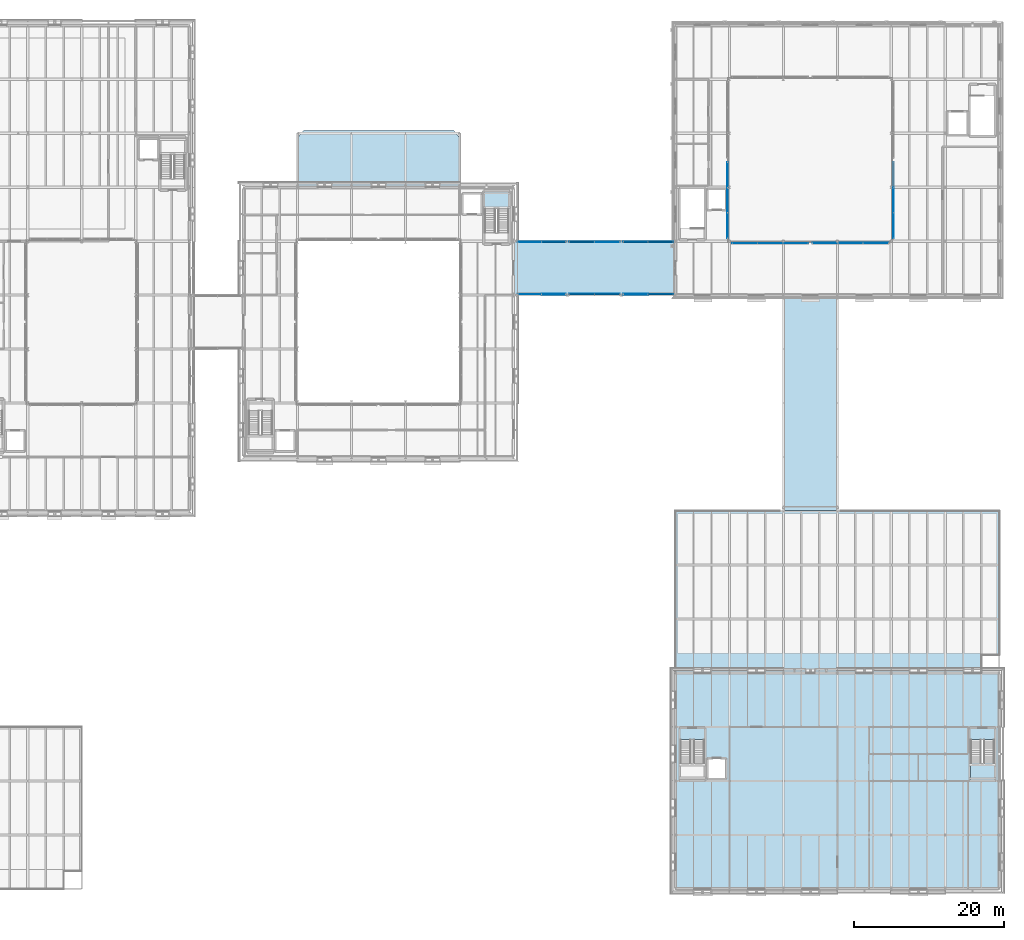
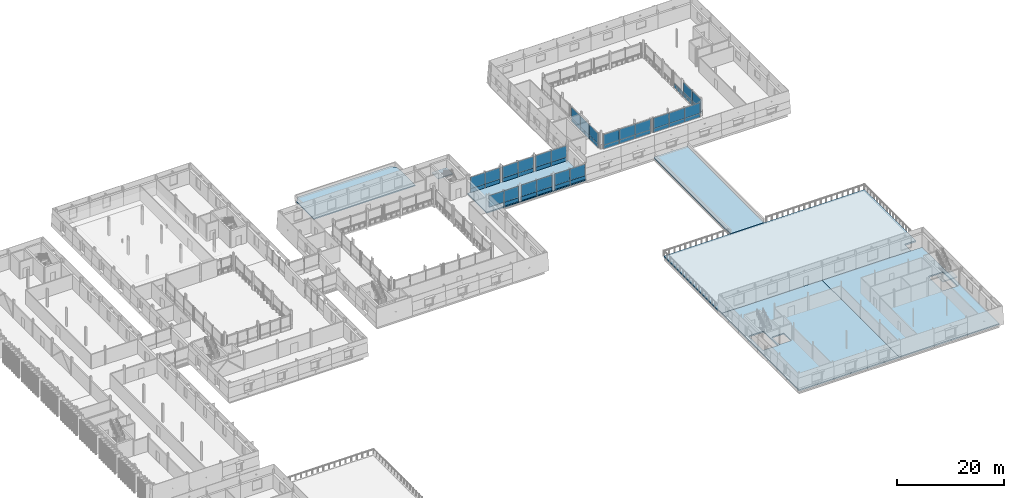
# One storey, part 58 of 115: 46 plates, 8 slabs, 12 elements without a shape of their own.
"""IFC4 building model written with IfcOpenShell, lengths in metres."""

from ifc_helpers import new_model, si_unit, direction, frame, origin, origin_2d, place, context, subcontext, project, spatial, polyline, rectangle, outline, extrude, material, layer, layer_set, type_object, element, aggregate, save


model = new_model("IFC4")

# Units and contexts
model_context = context("Model", 3, precision=1e-05, world=origin(), true_north=direction((0.0, 1.0)))
body_context = subcontext(model_context, "Body", "Model", "MODEL_VIEW")
ifc_project = project(units=[si_unit("LENGTHUNIT", "METRE"), si_unit("AREAUNIT", "SQUARE_METRE"), si_unit("VOLUMEUNIT", "CUBIC_METRE"), si_unit("PLANEANGLEUNIT", "RADIAN"), si_unit("MASSUNIT", "GRAM", prefix="KILO")], contexts=[model_context])

# Site, building, storey
site_placement = place(None, origin())
site = spatial("IfcSite", under=ifc_project, at=site_placement, CompositionType="ELEMENT")
building_placement = place(site_placement, origin())
building = spatial("IfcBuilding", under=site, at=building_placement, Name="Narikvali Park Central Library", CompositionType="ELEMENT")
storey_placement = place(building_placement, frame((0.0, 0.0, 10.199951171875)))
storey = spatial("IfcBuildingStorey", under=building, at=storey_placement, Name="L02", CompositionType="ELEMENT", Elevation=10.199951171875)

# Slabs
ifc_material_1 = material(Name="Concrete C40/50", Category="concrete")
ifc_layer_1 = layer(ifc_material_1, 0.25, Name="Concrete C40/50")
ifc_layer_set_1 = layer_set([ifc_layer_1], Name="Concrete C40/50")
slab_type_1 = type_object("IfcSlabType", Name="Bridge Sliding Deck Slab 250", PredefinedType="FLOOR", material=ifc_layer_set_1)
slab_1_placement = place(storey_placement, frame((0.0, 0.0, -0.25)))
element("IfcSlab", 1, at=slab_1_placement, inside=storey, type_object=slab_type_1, Name="BRG-3 L02 Covered Bridge Deck", PredefinedType="FLOOR", context=body_context, shape_type="SweptSolid", body=[
    extrude(outline(polyline([(100.840087890625, 79.199951171875), (122.360107421875, 79.199951171875), (122.360107421875, 86.39990234375), (100.840087890625, 86.39990234375), (100.840087890625, 79.199951171875)])), origin(), (0.0, 0.0, 1.0), 0.25),
])
ifc_material_2 = material(Name="Concrete C35/45", Category="concrete")
ifc_layer_2 = layer(ifc_material_2, 0.280029296875, Name="Concrete C35/45")
ifc_layer_set_2 = layer_set([ifc_layer_2], Name="Concrete C35/45")
slab_type_2 = type_object("IfcSlabType", Name="Composite Reading Floor Slab 280", PredefinedType="FLOOR", material=ifc_layer_set_2)
slab_2_placement = place(storey_placement, frame((0.0, 0.0, -0.280029296875)))
element("IfcSlab", 2, at=slab_2_placement, inside=storey, type_object=slab_type_2, Name="V6 L02 Structural Slab Panel 1", PredefinedType="FLOOR", context=body_context, shape_type="SweptSolid", body=[
    extrude(outline(polyline([(122.39990234375, 0.0), (144.0, 0.0), (144.0, 28.800048828125), (122.39990234375, 28.800048828125), (122.39990234375, 0.0)]), holes=[polyline([(123.050048828125, 14.550048828125), (126.25, 14.550048828125), (126.25, 19.89990234375), (123.050048828125, 19.89990234375), (123.050048828125, 14.550048828125)]), polyline([(126.64990234375, 14.64990234375), (129.199951171875, 14.64990234375), (129.199951171875, 17.449951171875), (126.64990234375, 17.449951171875), (126.64990234375, 14.64990234375)])]), origin(), (0.0, 0.0, 1.0), 0.280029296875),
])
slab_3_placement = place(storey_placement, frame((0.0, 0.0, -0.280029296875)))
element("IfcSlab", 3, at=slab_3_placement, inside=storey, type_object=slab_type_2, Name="V6 L02 Structural Slab Panel 2", PredefinedType="FLOOR", context=body_context, shape_type="SweptSolid", body=[
    extrude(outline(polyline([(144.0, 0.0), (165.60009765625, 0.0), (165.60009765625, 28.800048828125), (144.0, 28.800048828125), (144.0, 0.0)]), holes=[polyline([(161.75, 14.550048828125), (164.949951171875, 14.550048828125), (164.949951171875, 19.89990234375), (161.75, 19.89990234375), (161.75, 14.550048828125)])]), origin(), (0.0, 0.0, 1.0), 0.280029296875),
])

# Curtain wall, plate
ifc_material_3 = material(Name="Anodised Bronze Aluminium", Category="aluminium")
ifc_layer_3 = layer(ifc_material_3, 0.219970703125, Name="Anodised Bronze Aluminium")
ifc_layer_set_3 = layer_set([ifc_layer_3], Name="Anodised Bronze Aluminium")
curtain_wall_type_1 = type_object("IfcCurtainWallType", Name="Bridge Covered Passage Glazing System", PredefinedType="NOTDEFINED", material=ifc_layer_set_3)
curtain_wall_1_placement = place(storey_placement, origin())
curtain_wall_1 = element("IfcCurtainWall", 4, at=curtain_wall_1_placement, inside=storey, type_object=curtain_wall_type_1, Name="Bridge Covered Passage Glazing System CW-BRG-3-L02-S2", PredefinedType="NOTDEFINED")
ifc_material_4 = material(Name="Anodised Bronze Acoustic Spandrel Cassette")
ifc_layer_4 = layer(ifc_material_4, 0.1650390625, Name="Anodised Bronze Acoustic Spandrel Cassette")
ifc_layer_set_4 = layer_set([ifc_layer_4], Name="Anodised Bronze Acoustic Spandrel Cassette")
plate_type_1 = type_object("IfcPlateType", Name="Curtain Wall Acoustic Plenum Louvre Cassette 165", PredefinedType="CURTAIN_PANEL", material=ifc_layer_set_4)
plate_1_placement = place(storey_placement, frame((113.280029296875, 79.320068359375, 0.03515625), z_axis=(0.0, 0.0, 1.0), x_axis=(1.0, 0.0, 0.0)))
plate_1 = element("IfcPlate", 5, at=plate_1_placement, type_object=plate_type_1, Name="CW-BRG-3-L02-S2 Panel 01-0", PredefinedType="CURTAIN_PANEL", context=body_context, shape_type="SweptSolid", body=[
    extrude(rectangle(XDim=3.35009765625, YDim=0.1650390625, at=origin_2d()), origin(), (0.0, 0.0, 1.0), 0.860107421875),
])

curtain_wall_2_placement = place(storey_placement, origin())
curtain_wall_2 = element("IfcCurtainWall", 6, at=curtain_wall_2_placement, inside=storey, type_object=curtain_wall_type_1, Name="Bridge Covered Passage Glazing System CW-BRG-3-L02-N2", PredefinedType="NOTDEFINED")
plate_2_placement = place(storey_placement, frame((109.919921875, 86.280029296875, 0.03515625), z_axis=(0.0, 0.0, 1.0), x_axis=(1.0, 0.0, 0.0)))
plate_2 = element("IfcPlate", 7, at=plate_2_placement, type_object=plate_type_1, Name="CW-BRG-3-L02-N2 Panel 00-0", PredefinedType="CURTAIN_PANEL", context=body_context, shape_type="SweptSolid", body=[
    extrude(rectangle(XDim=3.35009765625, YDim=0.1650390625, at=origin_2d()), origin(), (0.0, 0.0, 1.0), 0.860107421875),
])

curtain_wall_3_placement = place(storey_placement, origin())
curtain_wall_3 = element("IfcCurtainWall", 8, at=curtain_wall_3_placement, inside=storey, type_object=curtain_wall_type_1, Name="Bridge Covered Passage Glazing System CW-BRG-3-L02-N3", PredefinedType="NOTDEFINED")
plate_3_placement = place(storey_placement, frame((120.43505859375, 86.280029296875, 0.03515625), z_axis=(0.0, 0.0, 1.0), x_axis=(1.0, 0.0, 0.0)))
plate_3 = element("IfcPlate", 9, at=plate_3_placement, type_object=plate_type_1, Name="CW-BRG-3-L02-N3 Panel 01-0", PredefinedType="CURTAIN_PANEL", context=body_context, shape_type="SweptSolid", body=[
    extrude(rectangle(XDim=3.320068359375, YDim=0.1650390625, at=origin_2d()), origin(), (0.0, 0.0, 1.0), 0.860107421875),
])

# Plate
ifc_material_5 = material(Name="Heavy Acoustic Laminated Clerestory Glazing", Category="glass")
ifc_layer_5 = layer(ifc_material_5, 0.06396484375, Name="Heavy Acoustic Laminated Clerestory Glazing")
ifc_layer_set_5 = layer_set([ifc_layer_5], Name="Heavy Acoustic Laminated Clerestory Glazing")
plate_type_2 = type_object("IfcPlateType", Name="Curtain Wall Clerestory Laminated Acoustic Glass 64", PredefinedType="CURTAIN_PANEL", material=ifc_layer_set_5)
plate_4_placement = place(storey_placement, frame((109.919921875, 79.320068359375, 0.90478515625), z_axis=(0.0, 0.0, 1.0), x_axis=(1.0, 0.0, 0.0)))
plate_4 = element("IfcPlate", 10, at=plate_4_placement, type_object=plate_type_2, Name="CW-BRG-3-L02-S2 Panel 00-1", PredefinedType="CURTAIN_PANEL", context=body_context, shape_type="SweptSolid", body=[
    extrude(rectangle(XDim=3.35009765625, YDim=0.06396484375, at=origin_2d()), origin(), (0.0, 0.0, 1.0), 2.610107421875),
])

plate_5_placement = place(storey_placement, frame((113.280029296875, 79.320068359375, 0.90478515625), z_axis=(0.0, 0.0, 1.0), x_axis=(1.0, 0.0, 0.0)))
plate_5 = element("IfcPlate", 11, at=plate_5_placement, type_object=plate_type_2, Name="CW-BRG-3-L02-S2 Panel 01-1", PredefinedType="CURTAIN_PANEL", context=body_context, shape_type="SweptSolid", body=[
    extrude(rectangle(XDim=3.35009765625, YDim=0.06396484375, at=origin_2d()), origin(), (0.0, 0.0, 1.0), 2.610107421875),
])

plate_6_placement = place(storey_placement, frame((117.10498046875, 86.280029296875, 0.90478515625), z_axis=(0.0, 0.0, 1.0), x_axis=(1.0, 0.0, 0.0)))
plate_6 = element("IfcPlate", 12, at=plate_6_placement, type_object=plate_type_2, Name="CW-BRG-3-L02-N3 Panel 00-1", PredefinedType="CURTAIN_PANEL", context=body_context, shape_type="SweptSolid", body=[
    extrude(rectangle(XDim=3.320068359375, YDim=0.06396484375, at=origin_2d()), origin(), (0.0, 0.0, 1.0), 2.610107421875),
])

plate_7_placement = place(storey_placement, frame((120.43505859375, 86.280029296875, 0.90478515625), z_axis=(0.0, 0.0, 1.0), x_axis=(1.0, 0.0, 0.0)))
plate_7 = element("IfcPlate", 13, at=plate_7_placement, type_object=plate_type_2, Name="CW-BRG-3-L02-N3 Panel 01-1", PredefinedType="CURTAIN_PANEL", context=body_context, shape_type="SweptSolid", body=[
    extrude(rectangle(XDim=3.320068359375, YDim=0.06396484375, at=origin_2d()), origin(), (0.0, 0.0, 1.0), 2.610107421875),
])

# Curtain wall, plates
ifc_layer_6 = layer(ifc_material_3, 0.219970703125, Name="Anodised Bronze Aluminium")
ifc_layer_set_6 = layer_set([ifc_layer_6], Name="Anodised Bronze Aluminium")
curtain_wall_type_2 = type_object("IfcCurtainWallType", Name="Atrium Tall Curtain Wall System", PredefinedType="NOTDEFINED", material=ifc_layer_set_6)
curtain_wall_4_placement = place(storey_placement, origin())
curtain_wall_4 = element("IfcCurtainWall", 14, at=curtain_wall_4_placement, inside=storey, type_object=curtain_wall_type_2, Name="Atrium Tall Curtain Wall System CW-INT-V3-L02-E1", PredefinedType="NOTDEFINED")
plate_8_placement = place(storey_placement, frame((151.47998046875, 88.4833984375, 0.03515625), z_axis=(0.0, 0.0, 1.0), x_axis=(0.0, 1.0, 0.0)))
plate_8 = element("IfcPlate", 15, at=plate_8_placement, type_object=plate_type_2, Name="CW-INT-V3-L02-E1 Panel 00-0", PredefinedType="CURTAIN_PANEL", context=body_context, shape_type="SweptSolid", body=[
    extrude(rectangle(XDim=3.356689453125, YDim=0.06396484375, at=origin_2d()), origin(), (0.0, 0.0, 1.0), 0.860107421875),
])
plate_9_placement = place(storey_placement, frame((151.47998046875, 91.85009765625, 0.03515625), z_axis=(0.0, 0.0, 1.0), x_axis=(0.0, 1.0, 0.0)))
plate_9 = element("IfcPlate", 16, at=plate_9_placement, type_object=plate_type_2, Name="CW-INT-V3-L02-E1 Panel 01-0", PredefinedType="CURTAIN_PANEL", context=body_context, shape_type="SweptSolid", body=[
    extrude(rectangle(XDim=3.356689453125, YDim=0.06396484375, at=origin_2d()), origin(), (0.0, 0.0, 1.0), 0.860107421875),
])
plate_10_placement = place(storey_placement, frame((151.47998046875, 95.216796875, 0.03515625), z_axis=(0.0, 0.0, 1.0), x_axis=(0.0, 1.0, 0.0)))
plate_10 = element("IfcPlate", 17, at=plate_10_placement, type_object=plate_type_2, Name="CW-INT-V3-L02-E1 Panel 02-0", PredefinedType="CURTAIN_PANEL", context=body_context, shape_type="SweptSolid", body=[
    extrude(rectangle(XDim=3.356689453125, YDim=0.06396484375, at=origin_2d()), origin(), (0.0, 0.0, 1.0), 0.860107421875),
])

curtain_wall_5_placement = place(storey_placement, origin())
curtain_wall_5 = element("IfcCurtainWall", 18, at=curtain_wall_5_placement, inside=storey, type_object=curtain_wall_type_2, Name="Atrium Tall Curtain Wall System CW-INT-V3-L02-S2", PredefinedType="NOTDEFINED")
plate_11_placement = place(storey_placement, frame((142.38330078125, 86.1201171875, 0.905029296875), z_axis=(0.0, 0.0, 1.0), x_axis=(1.0, 0.0, 0.0)))
plate_11 = element("IfcPlate", 19, at=plate_11_placement, type_object=plate_type_2, Name="CW-INT-V3-L02-S2 Panel 00-1", PredefinedType="CURTAIN_PANEL", context=body_context, shape_type="SweptSolid", body=[
    extrude(rectangle(XDim=3.356689453125, YDim=0.06396484375, at=origin_2d()), origin(), (0.0, 0.0, 1.0), 2.39990234375),
])
plate_12_placement = place(storey_placement, frame((145.75, 86.1201171875, 0.905029296875), z_axis=(0.0, 0.0, 1.0), x_axis=(1.0, 0.0, 0.0)))
plate_12 = element("IfcPlate", 20, at=plate_12_placement, type_object=plate_type_2, Name="CW-INT-V3-L02-S2 Panel 01-1", PredefinedType="CURTAIN_PANEL", context=body_context, shape_type="SweptSolid", body=[
    extrude(rectangle(XDim=3.356689453125, YDim=0.06396484375, at=origin_2d()), origin(), (0.0, 0.0, 1.0), 2.39990234375),
])
plate_13_placement = place(storey_placement, frame((149.11669921875, 86.1201171875, 0.905029296875), z_axis=(0.0, 0.0, 1.0), x_axis=(1.0, 0.0, 0.0)))
plate_13 = element("IfcPlate", 21, at=plate_13_placement, type_object=plate_type_2, Name="CW-INT-V3-L02-S2 Panel 02-1", PredefinedType="CURTAIN_PANEL", context=body_context, shape_type="SweptSolid", body=[
    extrude(rectangle(XDim=3.356689453125, YDim=0.06396484375, at=origin_2d()), origin(), (0.0, 0.0, 1.0), 2.39990234375),
])

curtain_wall_6_placement = place(storey_placement, origin())
curtain_wall_6 = element("IfcCurtainWall", 22, at=curtain_wall_6_placement, inside=storey, type_object=curtain_wall_type_1, Name="Bridge Covered Passage Glazing System CW-BRG-3-L02-S1", PredefinedType="NOTDEFINED")
ifc_material_6 = material(Name="Double Low-E Tempered Vision Glazing", Category="glass")
ifc_layer_7 = layer(ifc_material_6, 0.035888671875, Name="Double Low-E Tempered Vision Glazing")
ifc_layer_set_7 = layer_set([ifc_layer_7], Name="Double Low-E Tempered Vision Glazing")
plate_type_3 = type_object("IfcPlateType", Name="Curtain Wall Double Low-E Vision Glazing 36", PredefinedType="CURTAIN_PANEL", material=ifc_layer_set_7)
plate_14_placement = place(storey_placement, frame((102.952392578125, 79.320068359375, 0.90478515625), z_axis=(0.0, 0.0, 1.0), x_axis=(1.0, 0.0, 0.0)))
plate_14 = element("IfcPlate", 23, at=plate_14_placement, type_object=plate_type_3, Name="CW-BRG-3-L02-S1 Panel 00-1", PredefinedType="CURTAIN_PANEL", context=body_context, shape_type="SweptSolid", body=[
    extrude(rectangle(XDim=3.195068359375, YDim=0.035888671875, at=origin_2d()), origin(), (0.0, 0.0, 1.0), 2.610107421875),
])
plate_15_placement = place(storey_placement, frame((106.157470703125, 79.320068359375, 0.90478515625), z_axis=(0.0, 0.0, 1.0), x_axis=(1.0, 0.0, 0.0)))
plate_15 = element("IfcPlate", 24, at=plate_15_placement, type_object=plate_type_3, Name="CW-BRG-3-L02-S1 Panel 01-1", PredefinedType="CURTAIN_PANEL", context=body_context, shape_type="SweptSolid", body=[
    extrude(rectangle(XDim=3.195068359375, YDim=0.035888671875, at=origin_2d()), origin(), (0.0, 0.0, 1.0), 2.610107421875),
])

# Plate
plate_16_placement = place(storey_placement, frame((109.919921875, 86.280029296875, 0.90478515625), z_axis=(0.0, 0.0, 1.0), x_axis=(1.0, 0.0, 0.0)))
plate_16 = element("IfcPlate", 25, at=plate_16_placement, type_object=plate_type_3, Name="CW-BRG-3-L02-N2 Panel 00-1", PredefinedType="CURTAIN_PANEL", context=body_context, shape_type="SweptSolid", body=[
    extrude(rectangle(XDim=3.35009765625, YDim=0.035888671875, at=origin_2d()), origin(), (0.0, 0.0, 1.0), 2.610107421875),
])

plate_17_placement = place(storey_placement, frame((113.280029296875, 86.280029296875, 0.90478515625), z_axis=(0.0, 0.0, 1.0), x_axis=(1.0, 0.0, 0.0)))
plate_17 = element("IfcPlate", 26, at=plate_17_placement, type_object=plate_type_3, Name="CW-BRG-3-L02-N2 Panel 01-1", PredefinedType="CURTAIN_PANEL", context=body_context, shape_type="SweptSolid", body=[
    extrude(rectangle(XDim=3.35009765625, YDim=0.035888671875, at=origin_2d()), origin(), (0.0, 0.0, 1.0), 2.610107421875),
])

# Curtain wall, plates
curtain_wall_7_placement = place(storey_placement, origin())
curtain_wall_7 = element("IfcCurtainWall", 27, at=curtain_wall_7_placement, inside=storey, type_object=curtain_wall_type_2, Name="Atrium Tall Curtain Wall System CW-INT-V3-L02-W1", PredefinedType="NOTDEFINED")
plate_18_placement = place(storey_placement, frame((129.320068359375, 88.4833984375, 0.03515625), z_axis=(0.0, 0.0, 1.0), x_axis=(0.0, 1.0, 0.0)))
plate_18 = element("IfcPlate", 28, at=plate_18_placement, type_object=plate_type_3, Name="CW-INT-V3-L02-W1 Panel 00-0", PredefinedType="CURTAIN_PANEL", context=body_context, shape_type="SweptSolid", body=[
    extrude(rectangle(XDim=3.356689453125, YDim=0.035888671875, at=origin_2d()), origin(), (0.0, 0.0, 1.0), 0.860107421875),
])
plate_19_placement = place(storey_placement, frame((129.320068359375, 91.85009765625, 0.03515625), z_axis=(0.0, 0.0, 1.0), x_axis=(0.0, 1.0, 0.0)))
plate_19 = element("IfcPlate", 29, at=plate_19_placement, type_object=plate_type_3, Name="CW-INT-V3-L02-W1 Panel 01-0", PredefinedType="CURTAIN_PANEL", context=body_context, shape_type="SweptSolid", body=[
    extrude(rectangle(XDim=3.356689453125, YDim=0.035888671875, at=origin_2d()), origin(), (0.0, 0.0, 1.0), 0.860107421875),
])
plate_20_placement = place(storey_placement, frame((129.320068359375, 95.216796875, 0.03515625), z_axis=(0.0, 0.0, 1.0), x_axis=(0.0, 1.0, 0.0)))
plate_20 = element("IfcPlate", 30, at=plate_20_placement, type_object=plate_type_3, Name="CW-INT-V3-L02-W1 Panel 02-0", PredefinedType="CURTAIN_PANEL", context=body_context, shape_type="SweptSolid", body=[
    extrude(rectangle(XDim=3.356689453125, YDim=0.035888671875, at=origin_2d()), origin(), (0.0, 0.0, 1.0), 0.860107421875),
])

# Plate
plate_21_placement = place(storey_placement, frame((151.47998046875, 88.4833984375, 0.905029296875), z_axis=(0.0, 0.0, 1.0), x_axis=(0.0, 1.0, 0.0)))
plate_21 = element("IfcPlate", 31, at=plate_21_placement, type_object=plate_type_3, Name="CW-INT-V3-L02-E1 Panel 00-1", PredefinedType="CURTAIN_PANEL", context=body_context, shape_type="SweptSolid", body=[
    extrude(rectangle(XDim=3.356689453125, YDim=0.035888671875, at=origin_2d()), origin(), (0.0, 0.0, 1.0), 2.39990234375),
])

plate_22_placement = place(storey_placement, frame((151.47998046875, 91.85009765625, 0.905029296875), z_axis=(0.0, 0.0, 1.0), x_axis=(0.0, 1.0, 0.0)))
plate_22 = element("IfcPlate", 32, at=plate_22_placement, type_object=plate_type_3, Name="CW-INT-V3-L02-E1 Panel 01-1", PredefinedType="CURTAIN_PANEL", context=body_context, shape_type="SweptSolid", body=[
    extrude(rectangle(XDim=3.356689453125, YDim=0.035888671875, at=origin_2d()), origin(), (0.0, 0.0, 1.0), 2.39990234375),
])

aggregate(curtain_wall_4, [plate_8, plate_21, plate_9, plate_22, plate_10])

# Curtain wall, plates
curtain_wall_8_placement = place(storey_placement, origin())
curtain_wall_8 = element("IfcCurtainWall", 33, at=curtain_wall_8_placement, inside=storey, type_object=curtain_wall_type_2, Name="Atrium Tall Curtain Wall System CW-INT-V3-L02-S1", PredefinedType="NOTDEFINED")
plate_23_placement = place(storey_placement, frame((131.683349609375, 86.1201171875, 0.03515625), z_axis=(0.0, 0.0, 1.0), x_axis=(1.0, 0.0, 0.0)))
plate_23 = element("IfcPlate", 34, at=plate_23_placement, type_object=plate_type_3, Name="CW-INT-V3-L02-S1 Panel 00-0", PredefinedType="CURTAIN_PANEL", context=body_context, shape_type="SweptSolid", body=[
    extrude(rectangle(XDim=3.356689453125, YDim=0.035888671875, at=origin_2d()), origin(), (0.0, 0.0, 1.0), 0.860107421875),
])
plate_24_placement = place(storey_placement, frame((135.050048828125, 86.1201171875, 0.03515625), z_axis=(0.0, 0.0, 1.0), x_axis=(1.0, 0.0, 0.0)))
plate_24 = element("IfcPlate", 35, at=plate_24_placement, type_object=plate_type_3, Name="CW-INT-V3-L02-S1 Panel 01-0", PredefinedType="CURTAIN_PANEL", context=body_context, shape_type="SweptSolid", body=[
    extrude(rectangle(XDim=3.356689453125, YDim=0.035888671875, at=origin_2d()), origin(), (0.0, 0.0, 1.0), 0.860107421875),
])
plate_25_placement = place(storey_placement, frame((138.416748046875, 86.1201171875, 0.03515625), z_axis=(0.0, 0.0, 1.0), x_axis=(1.0, 0.0, 0.0)))
plate_25 = element("IfcPlate", 36, at=plate_25_placement, type_object=plate_type_3, Name="CW-INT-V3-L02-S1 Panel 02-0", PredefinedType="CURTAIN_PANEL", context=body_context, shape_type="SweptSolid", body=[
    extrude(rectangle(XDim=3.356689453125, YDim=0.035888671875, at=origin_2d()), origin(), (0.0, 0.0, 1.0), 0.860107421875),
])

# Plate
ifc_material_7 = material(Name="Anodised Bronze Insulated Spandrel Cassette")
ifc_layer_8 = layer(ifc_material_7, 0.110107421875, Name="Anodised Bronze Insulated Spandrel Cassette")
ifc_layer_set_8 = layer_set([ifc_layer_8], Name="Anodised Bronze Insulated Spandrel Cassette")
plate_type_4 = type_object("IfcPlateType", Name="Curtain Wall Insulated Bronze Spandrel Cassette 110", PredefinedType="CURTAIN_PANEL", material=ifc_layer_set_8)
plate_26_placement = place(storey_placement, frame((106.157470703125, 79.320068359375, 0.03515625), z_axis=(0.0, 0.0, 1.0), x_axis=(1.0, 0.0, 0.0)))
plate_26 = element("IfcPlate", 37, at=plate_26_placement, type_object=plate_type_4, Name="CW-BRG-3-L02-S1 Panel 01-0", PredefinedType="CURTAIN_PANEL", context=body_context, shape_type="SweptSolid", body=[
    extrude(rectangle(XDim=3.195068359375, YDim=0.110107421875, at=origin_2d()), origin(), (0.0, 0.0, 1.0), 0.860107421875),
])

aggregate(curtain_wall_6, [plate_14, plate_26, plate_15])

# Curtain wall, plate
curtain_wall_9_placement = place(storey_placement, origin())
curtain_wall_9 = element("IfcCurtainWall", 38, at=curtain_wall_9_placement, inside=storey, type_object=curtain_wall_type_1, Name="Bridge Covered Passage Glazing System CW-BRG-3-L02-N1", PredefinedType="NOTDEFINED")
plate_27_placement = place(storey_placement, frame((102.952392578125, 86.280029296875, 0.03515625), z_axis=(0.0, 0.0, 1.0), x_axis=(1.0, 0.0, 0.0)))
plate_27 = element("IfcPlate", 39, at=plate_27_placement, type_object=plate_type_4, Name="CW-BRG-3-L02-N1 Panel 00-0", PredefinedType="CURTAIN_PANEL", context=body_context, shape_type="SweptSolid", body=[
    extrude(rectangle(XDim=3.195068359375, YDim=0.110107421875, at=origin_2d()), origin(), (0.0, 0.0, 1.0), 0.860107421875),
])

# Plate
plate_28_placement = place(storey_placement, frame((113.280029296875, 86.280029296875, 0.03515625), z_axis=(0.0, 0.0, 1.0), x_axis=(1.0, 0.0, 0.0)))
plate_28 = element("IfcPlate", 40, at=plate_28_placement, type_object=plate_type_4, Name="CW-BRG-3-L02-N2 Panel 01-0", PredefinedType="CURTAIN_PANEL", context=body_context, shape_type="SweptSolid", body=[
    extrude(rectangle(XDim=3.35009765625, YDim=0.110107421875, at=origin_2d()), origin(), (0.0, 0.0, 1.0), 0.860107421875),
])

aggregate(curtain_wall_2, [plate_2, plate_16, plate_28, plate_17])

# Curtain wall, plate
curtain_wall_10_placement = place(storey_placement, origin())
curtain_wall_10 = element("IfcCurtainWall", 41, at=curtain_wall_10_placement, inside=storey, type_object=curtain_wall_type_1, Name="Bridge Covered Passage Glazing System CW-BRG-3-L02-S3", PredefinedType="NOTDEFINED")
plate_29_placement = place(storey_placement, frame((117.10498046875, 79.320068359375, 0.03515625), z_axis=(0.0, 0.0, 1.0), x_axis=(1.0, 0.0, 0.0)))
plate_29 = element("IfcPlate", 42, at=plate_29_placement, type_object=plate_type_4, Name="CW-BRG-3-L02-S3 Panel 00-0", PredefinedType="CURTAIN_PANEL", context=body_context, shape_type="SweptSolid", body=[
    extrude(rectangle(XDim=3.320068359375, YDim=0.110107421875, at=origin_2d()), origin(), (0.0, 0.0, 1.0), 0.860107421875),
])

# Plate
ifc_material_8 = material(Name="Mineral-Wool Shadow-Box Spandrel Assembly")
ifc_layer_9 = layer(ifc_material_8, 0.139892578125, Name="Mineral-Wool Shadow-Box Spandrel Assembly")
ifc_layer_set_9 = layer_set([ifc_layer_9], Name="Mineral-Wool Shadow-Box Spandrel Assembly")
plate_type_5 = type_object("IfcPlateType", Name="Curtain Wall Shadow-Box Mineral Spandrel Panel 140", PredefinedType="CURTAIN_PANEL", material=ifc_layer_set_9)
plate_30_placement = place(storey_placement, frame((106.157470703125, 86.280029296875, 0.03515625), z_axis=(0.0, 0.0, 1.0), x_axis=(1.0, 0.0, 0.0)))
plate_30 = element("IfcPlate", 43, at=plate_30_placement, type_object=plate_type_5, Name="CW-BRG-3-L02-N1 Panel 01-0", PredefinedType="CURTAIN_PANEL", context=body_context, shape_type="SweptSolid", body=[
    extrude(rectangle(XDim=3.195068359375, YDim=0.139892578125, at=origin_2d()), origin(), (0.0, 0.0, 1.0), 0.860107421875),
])

plate_31_placement = place(storey_placement, frame((109.919921875, 79.320068359375, 0.03515625), z_axis=(0.0, 0.0, 1.0), x_axis=(1.0, 0.0, 0.0)))
plate_31 = element("IfcPlate", 44, at=plate_31_placement, type_object=plate_type_5, Name="CW-BRG-3-L02-S2 Panel 00-0", PredefinedType="CURTAIN_PANEL", context=body_context, shape_type="SweptSolid", body=[
    extrude(rectangle(XDim=3.35009765625, YDim=0.139892578125, at=origin_2d()), origin(), (0.0, 0.0, 1.0), 0.860107421875),
])

aggregate(curtain_wall_1, [plate_31, plate_4, plate_1, plate_5])

plate_32_placement = place(storey_placement, frame((120.43505859375, 79.320068359375, 0.03515625), z_axis=(0.0, 0.0, 1.0), x_axis=(1.0, 0.0, 0.0)))
plate_32 = element("IfcPlate", 45, at=plate_32_placement, type_object=plate_type_5, Name="CW-BRG-3-L02-S3 Panel 01-0", PredefinedType="CURTAIN_PANEL", context=body_context, shape_type="SweptSolid", body=[
    extrude(rectangle(XDim=3.320068359375, YDim=0.139892578125, at=origin_2d()), origin(), (0.0, 0.0, 1.0), 0.860107421875),
])

plate_33_placement = place(storey_placement, frame((117.10498046875, 86.280029296875, 0.03515625), z_axis=(0.0, 0.0, 1.0), x_axis=(1.0, 0.0, 0.0)))
plate_33 = element("IfcPlate", 46, at=plate_33_placement, type_object=plate_type_5, Name="CW-BRG-3-L02-N3 Panel 00-0", PredefinedType="CURTAIN_PANEL", context=body_context, shape_type="SweptSolid", body=[
    extrude(rectangle(XDim=3.320068359375, YDim=0.139892578125, at=origin_2d()), origin(), (0.0, 0.0, 1.0), 0.860107421875),
])

aggregate(curtain_wall_3, [plate_33, plate_6, plate_3, plate_7])

ifc_material_9 = material(Name="Triple Low-E Acoustic Laminated Glazing", Category="glass")
ifc_layer_10 = layer(ifc_material_9, 0.048095703125, Name="Triple Low-E Acoustic Laminated Glazing")
ifc_layer_set_10 = layer_set([ifc_layer_10], Name="Triple Low-E Acoustic Laminated Glazing")
plate_type_6 = type_object("IfcPlateType", Name="Curtain Wall Triple Solar-Acoustic Glazing 48", PredefinedType="CURTAIN_PANEL", material=ifc_layer_set_10)
plate_34_placement = place(storey_placement, frame((102.952392578125, 86.280029296875, 0.90478515625), z_axis=(0.0, 0.0, 1.0), x_axis=(1.0, 0.0, 0.0)))
plate_34 = element("IfcPlate", 47, at=plate_34_placement, type_object=plate_type_6, Name="CW-BRG-3-L02-N1 Panel 00-1", PredefinedType="CURTAIN_PANEL", context=body_context, shape_type="SweptSolid", body=[
    extrude(rectangle(XDim=3.195068359375, YDim=0.048095703125, at=origin_2d()), origin(), (0.0, 0.0, 1.0), 2.610107421875),
])

plate_35_placement = place(storey_placement, frame((106.157470703125, 86.280029296875, 0.90478515625), z_axis=(0.0, 0.0, 1.0), x_axis=(1.0, 0.0, 0.0)))
plate_35 = element("IfcPlate", 48, at=plate_35_placement, type_object=plate_type_6, Name="CW-BRG-3-L02-N1 Panel 01-1", PredefinedType="CURTAIN_PANEL", context=body_context, shape_type="SweptSolid", body=[
    extrude(rectangle(XDim=3.195068359375, YDim=0.048095703125, at=origin_2d()), origin(), (0.0, 0.0, 1.0), 2.610107421875),
])

aggregate(curtain_wall_9, [plate_27, plate_34, plate_30, plate_35])

plate_36_placement = place(storey_placement, frame((117.10498046875, 79.320068359375, 0.90478515625), z_axis=(0.0, 0.0, 1.0), x_axis=(1.0, 0.0, 0.0)))
plate_36 = element("IfcPlate", 49, at=plate_36_placement, type_object=plate_type_6, Name="CW-BRG-3-L02-S3 Panel 00-1", PredefinedType="CURTAIN_PANEL", context=body_context, shape_type="SweptSolid", body=[
    extrude(rectangle(XDim=3.320068359375, YDim=0.048095703125, at=origin_2d()), origin(), (0.0, 0.0, 1.0), 2.610107421875),
])

plate_37_placement = place(storey_placement, frame((120.43505859375, 79.320068359375, 0.90478515625), z_axis=(0.0, 0.0, 1.0), x_axis=(1.0, 0.0, 0.0)))
plate_37 = element("IfcPlate", 50, at=plate_37_placement, type_object=plate_type_6, Name="CW-BRG-3-L02-S3 Panel 01-1", PredefinedType="CURTAIN_PANEL", context=body_context, shape_type="SweptSolid", body=[
    extrude(rectangle(XDim=3.320068359375, YDim=0.048095703125, at=origin_2d()), origin(), (0.0, 0.0, 1.0), 2.610107421875),
])

aggregate(curtain_wall_10, [plate_29, plate_36, plate_32, plate_37])

plate_38_placement = place(storey_placement, frame((129.320068359375, 88.4833984375, 0.905029296875), z_axis=(0.0, 0.0, 1.0), x_axis=(0.0, 1.0, 0.0)))
plate_38 = element("IfcPlate", 51, at=plate_38_placement, type_object=plate_type_6, Name="CW-INT-V3-L02-W1 Panel 00-1", PredefinedType="CURTAIN_PANEL", context=body_context, shape_type="SweptSolid", body=[
    extrude(rectangle(XDim=3.356689453125, YDim=0.048095703125, at=origin_2d()), origin(), (0.0, 0.0, 1.0), 2.39990234375),
])

plate_39_placement = place(storey_placement, frame((129.320068359375, 91.85009765625, 0.905029296875), z_axis=(0.0, 0.0, 1.0), x_axis=(0.0, 1.0, 0.0)))
plate_39 = element("IfcPlate", 52, at=plate_39_placement, type_object=plate_type_6, Name="CW-INT-V3-L02-W1 Panel 01-1", PredefinedType="CURTAIN_PANEL", context=body_context, shape_type="SweptSolid", body=[
    extrude(rectangle(XDim=3.356689453125, YDim=0.048095703125, at=origin_2d()), origin(), (0.0, 0.0, 1.0), 2.39990234375),
])

plate_40_placement = place(storey_placement, frame((129.320068359375, 95.216796875, 0.905029296875), z_axis=(0.0, 0.0, 1.0), x_axis=(0.0, 1.0, 0.0)))
plate_40 = element("IfcPlate", 53, at=plate_40_placement, type_object=plate_type_6, Name="CW-INT-V3-L02-W1 Panel 02-1", PredefinedType="CURTAIN_PANEL", context=body_context, shape_type="SweptSolid", body=[
    extrude(rectangle(XDim=3.356689453125, YDim=0.048095703125, at=origin_2d()), origin(), (0.0, 0.0, 1.0), 2.39990234375),
])

aggregate(curtain_wall_7, [plate_18, plate_38, plate_19, plate_39, plate_20, plate_40])

plate_41_placement = place(storey_placement, frame((131.683349609375, 86.1201171875, 0.905029296875), z_axis=(0.0, 0.0, 1.0), x_axis=(1.0, 0.0, 0.0)))
plate_41 = element("IfcPlate", 54, at=plate_41_placement, type_object=plate_type_6, Name="CW-INT-V3-L02-S1 Panel 00-1", PredefinedType="CURTAIN_PANEL", context=body_context, shape_type="SweptSolid", body=[
    extrude(rectangle(XDim=3.356689453125, YDim=0.048095703125, at=origin_2d()), origin(), (0.0, 0.0, 1.0), 2.39990234375),
])

plate_42_placement = place(storey_placement, frame((135.050048828125, 86.1201171875, 0.905029296875), z_axis=(0.0, 0.0, 1.0), x_axis=(1.0, 0.0, 0.0)))
plate_42 = element("IfcPlate", 55, at=plate_42_placement, type_object=plate_type_6, Name="CW-INT-V3-L02-S1 Panel 01-1", PredefinedType="CURTAIN_PANEL", context=body_context, shape_type="SweptSolid", body=[
    extrude(rectangle(XDim=3.356689453125, YDim=0.048095703125, at=origin_2d()), origin(), (0.0, 0.0, 1.0), 2.39990234375),
])

plate_43_placement = place(storey_placement, frame((138.416748046875, 86.1201171875, 0.905029296875), z_axis=(0.0, 0.0, 1.0), x_axis=(1.0, 0.0, 0.0)))
plate_43 = element("IfcPlate", 56, at=plate_43_placement, type_object=plate_type_6, Name="CW-INT-V3-L02-S1 Panel 02-1", PredefinedType="CURTAIN_PANEL", context=body_context, shape_type="SweptSolid", body=[
    extrude(rectangle(XDim=3.356689453125, YDim=0.048095703125, at=origin_2d()), origin(), (0.0, 0.0, 1.0), 2.39990234375),
])

aggregate(curtain_wall_8, [plate_23, plate_41, plate_24, plate_42, plate_25, plate_43])

plate_44_placement = place(storey_placement, frame((142.38330078125, 86.1201171875, 0.03515625), z_axis=(0.0, 0.0, 1.0), x_axis=(1.0, 0.0, 0.0)))
plate_44 = element("IfcPlate", 57, at=plate_44_placement, type_object=plate_type_6, Name="CW-INT-V3-L02-S2 Panel 00-0", PredefinedType="CURTAIN_PANEL", context=body_context, shape_type="SweptSolid", body=[
    extrude(rectangle(XDim=3.356689453125, YDim=0.048095703125, at=origin_2d()), origin(), (0.0, 0.0, 1.0), 0.860107421875),
])

plate_45_placement = place(storey_placement, frame((145.75, 86.1201171875, 0.03515625), z_axis=(0.0, 0.0, 1.0), x_axis=(1.0, 0.0, 0.0)))
plate_45 = element("IfcPlate", 58, at=plate_45_placement, type_object=plate_type_6, Name="CW-INT-V3-L02-S2 Panel 01-0", PredefinedType="CURTAIN_PANEL", context=body_context, shape_type="SweptSolid", body=[
    extrude(rectangle(XDim=3.356689453125, YDim=0.048095703125, at=origin_2d()), origin(), (0.0, 0.0, 1.0), 0.860107421875),
])

plate_46_placement = place(storey_placement, frame((149.11669921875, 86.1201171875, 0.03515625), z_axis=(0.0, 0.0, 1.0), x_axis=(1.0, 0.0, 0.0)))
plate_46 = element("IfcPlate", 59, at=plate_46_placement, type_object=plate_type_6, Name="CW-INT-V3-L02-S2 Panel 02-0", PredefinedType="CURTAIN_PANEL", context=body_context, shape_type="SweptSolid", body=[
    extrude(rectangle(XDim=3.356689453125, YDim=0.048095703125, at=origin_2d()), origin(), (0.0, 0.0, 1.0), 0.860107421875),
])

aggregate(curtain_wall_5, [plate_44, plate_11, plate_45, plate_12, plate_46, plate_13])

# Slabs
ifc_layer_11 = layer(ifc_material_2, 0.239990234375, Name="Concrete C35/45")
ifc_layer_set_11 = layer_set([ifc_layer_11], Name="Concrete C35/45")
slab_type_3 = type_object("IfcSlabType", Name="Flat Acoustic Roof Slab 240", PredefinedType="ROOF", material=ifc_layer_set_11)
slab_4_placement = place(storey_placement, frame((0.0, 0.0, -0.239990234375)))
element("IfcSlab", 60, at=slab_4_placement, inside=storey, type_object=slab_type_3, Name="Entrance Arch L02 Canopy Slab", PredefinedType="ROOF", context=body_context, shape_type="SweptSolid", body=[
    extrude(outline(polyline([(71.85009765625, 93.60009765625), (93.75, 93.60009765625), (93.75, 100.0), (92.800048828125, 101.179931640625), (72.800048828125, 101.179931640625), (71.85009765625, 100.0), (71.85009765625, 93.60009765625)])), origin(), (0.0, 0.0, 1.0), 0.239990234375),
])
slab_5_placement = place(storey_placement, frame((0.0, 0.0, -0.239990234375)))
element("IfcSlab", 61, at=slab_5_placement, inside=storey, type_object=slab_type_3, Name="BRG-4 L02 Bridge Roof Slab", PredefinedType="ROOF", context=body_context, shape_type="SweptSolid", body=[
    extrude(outline(polyline([(136.800048828125, 50.43994140625), (144.0, 50.43994140625), (144.0, 79.159912109375), (136.800048828125, 79.159912109375), (136.800048828125, 50.43994140625)])), origin(), (0.0, 0.0, 1.0), 0.239990234375),
])
ifc_layer_12 = layer(ifc_material_2, 0.340087890625, Name="Concrete C35/45")
ifc_layer_set_12 = layer_set([ifc_layer_12], Name="Concrete C35/45")
slab_type_4 = type_object("IfcSlabType", Name="Planted Roof Garden Structural Deck 340", PredefinedType="ROOF", material=ifc_layer_set_12)
slab_6_placement = place(storey_placement, frame((0.0, 0.0, -0.33984375)))
element("IfcSlab", 62, at=slab_6_placement, inside=storey, type_object=slab_type_4, Name="V6 L02 Planted Roof Garden Deck", PredefinedType="ROOF", context=body_context, shape_type="SweptSolid", body=[
    extrude(outline(polyline([(122.39990234375, 28.800048828125), (163.199951171875, 28.800048828125), (163.199951171875, 31.199951171875), (165.60009765625, 31.199951171875), (165.60009765625, 50.39990234375), (122.39990234375, 50.39990234375), (122.39990234375, 28.800048828125)])), origin(), (0.0, 0.0, 1.0), 0.33984375),
])

# Stair, slab
stair_type = type_object("IfcStairType", Name="Core Enclosed Two-Flight Exit Stair", PredefinedType="HALF_TURN_STAIR", material=ifc_material_2)
stair_1_placement = place(storey_placement, origin())
stair_1 = element("IfcStair", 63, at=stair_1_placement, inside=storey, type_object=stair_type, Name="L02 Exit Stair ST-02", PredefinedType="HALF_TURN_STAIR")
ifc_layer_13 = layer(ifc_material_2, 0.199951171875, Name="Concrete C35/45")
ifc_layer_set_13 = layer_set([ifc_layer_13], Name="Concrete C35/45")
slab_type_5 = type_object("IfcSlabType", Name="Stair Half-Landing Concrete Slab 200", PredefinedType="LANDING", material=ifc_layer_set_13)
slab_7_placement = place(storey_placement, frame((0.0, 0.0, 1.900146484375)))
slab_7 = element("IfcSlab", 64, at=slab_7_placement, type_object=slab_type_5, Name="ST-02 landing 1", PredefinedType="LANDING", context=body_context, shape_type="SweptSolid", body=[
    extrude(outline(polyline([(100.14990234375, 90.68505859375), (100.14990234375, 93.0), (96.949951171875, 93.0), (96.949951171875, 90.68505859375), (100.14990234375, 90.68505859375)])), origin(), (0.0, 0.0, 1.0), 0.199951171875),
])
aggregate(stair_1, [slab_7])

stair_2_placement = place(storey_placement, origin())
stair_2 = element("IfcStair", 65, at=stair_2_placement, inside=storey, type_object=stair_type, Name="L02 Exit Stair ST-12", PredefinedType="HALF_TURN_STAIR")
slab_8_placement = place(storey_placement, frame((0.0, 0.0, 1.900146484375)))
slab_8 = element("IfcSlab", 66, at=slab_8_placement, type_object=slab_type_5, Name="ST-12 landing 1", PredefinedType="LANDING", context=body_context, shape_type="SweptSolid", body=[
    extrude(outline(polyline([(161.75, 16.764892578125), (161.75, 14.550048828125), (164.949951171875, 14.550048828125), (164.949951171875, 16.764892578125), (161.75, 16.764892578125)])), origin(), (0.0, 0.0, 1.0), 0.199951171875),
])
aggregate(stair_2, [slab_8])

save(model, "model.ifc")
